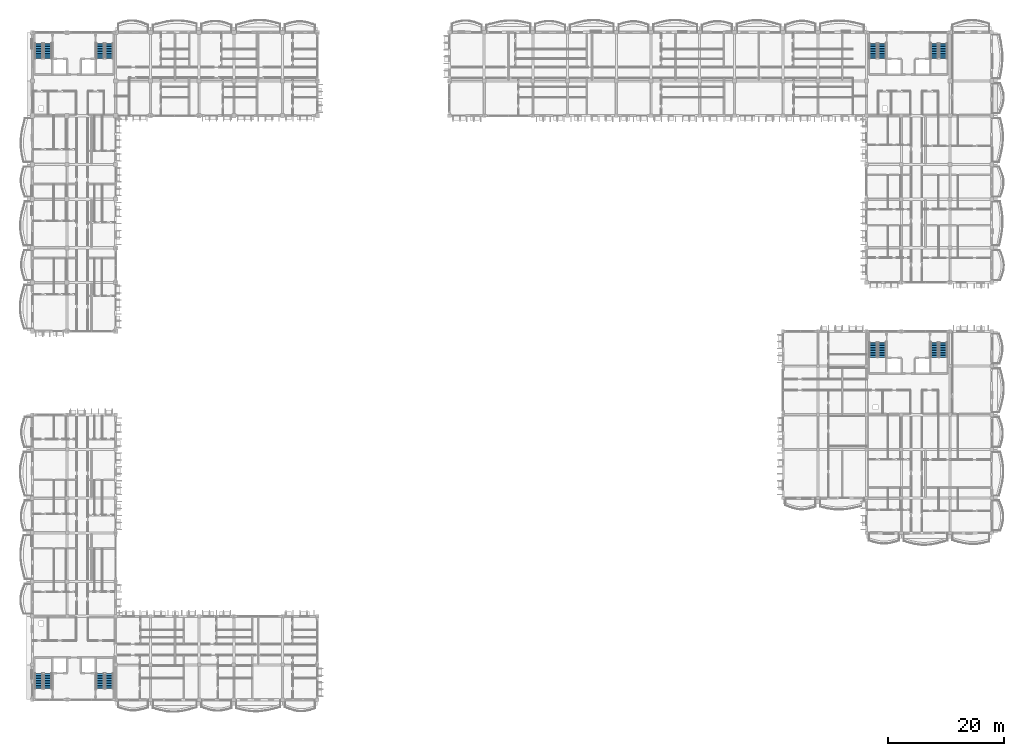
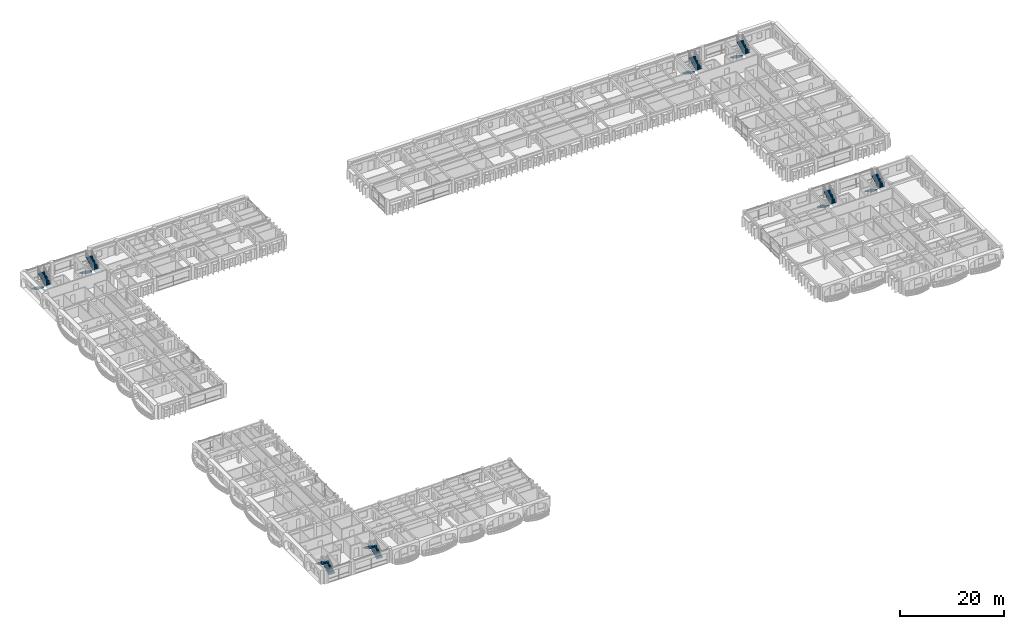
# One storey, part 50 of 79: 16 stair flights, 8 elements without a shape of their own.
"""IFC4 building model written with IfcOpenShell, lengths in metres."""

from ifc_helpers import new_model, si_unit, direction, frame, origin, place, context, subcontext, project, spatial, polyline, outline, extrude, material, type_object, element, aggregate, save


model = new_model("IFC4")

# Units and contexts
model_context = context("Model", 3, precision=1e-05, world=origin(), true_north=direction((0.0, 1.0)))
body_context = subcontext(model_context, "Body", "Model", "MODEL_VIEW")
ifc_project = project(units=[si_unit("LENGTHUNIT", "METRE"), si_unit("AREAUNIT", "SQUARE_METRE"), si_unit("VOLUMEUNIT", "CUBIC_METRE"), si_unit("PLANEANGLEUNIT", "RADIAN"), si_unit("MASSUNIT", "GRAM", prefix="KILO"), si_unit("THERMODYNAMICTEMPERATUREUNIT", "KELVIN")], contexts=[model_context])

# Site, building, storey
site_placement = place(None, origin())
site = spatial("IfcSite", under=ifc_project, at=site_placement, CompositionType="ELEMENT")
building_placement = place(site_placement, origin())
building = spatial("IfcBuilding", under=site, at=building_placement, Name="Thalorik Housing Commons", CompositionType="ELEMENT")
storey_placement = place(building_placement, frame((0.0, 0.0, 11.39990234375)))
storey = spatial("IfcBuildingStorey", under=building, at=storey_placement, Name="L03", CompositionType="ELEMENT", Elevation=11.39990234375)

# Stair, stair flights
ifc_material = material(Name="Precast concrete C40/50", Category="concrete")
stair_type = type_object("IfcStairType", Name="ARC-STR-1350-R20", PredefinedType="HALF_TURN_STAIR", material=ifc_material)
stair_1_placement = place(storey_placement, origin())
stair_1 = element("IfcStair", 1, at=stair_1_placement, inside=storey, type_object=stair_type, Name="L03 Block A Smoke-Proof Stair 1", PredefinedType="HALF_TURN_STAIR")
stair_flight_type = type_object("IfcStairFlightType", Name="ARC-SFLT-1350-R10", PredefinedType="STRAIGHT", material=ifc_material)
stair_flight_1_placement = place(storey_placement, frame((9.52490234375, 121.699951171875, 0.0), z_axis=(0.0, 0.0, 1.0), x_axis=(0.0, -1.0, 0.0)))
stair_flight_1 = element("IfcStairFlight", 2, at=stair_flight_1_placement, type_object=stair_flight_type, Name="ST-A1 flight 1", NumberOfRisers=10, NumberOfTreads=9, PredefinedType="STRAIGHT", RiserHeight=0.165, TreadLength=0.29, context=body_context, shape_type="SweptSolid", body=[
    extrude(outline(polyline([(0.0, 0.0), (0.0, 0.1650390625), (0.2900390625, 0.1650390625), (0.2900390625, 0.330078125), (0.580078125, 0.330078125), (0.580078125, 0.4951171875), (0.8701171875, 0.4951171875), (0.8701171875, 0.659912109375), (1.159912109375, 0.659912109375), (1.159912109375, 0.824951171875), (1.449951171875, 0.824951171875), (1.449951171875, 0.989990234375), (1.739990234375, 0.989990234375), (1.739990234375, 1.155029296875), (2.030029296875, 1.155029296875), (2.030029296875, 1.320068359375), (2.320068359375, 1.320068359375), (2.320068359375, 1.485107421875), (2.610107421875, 1.485107421875), (2.610107421875, 1.64990234375), (2.610107421875, 1.301025390625), (0.323486328125, 0.0), (0.0, 0.0)])), frame((0.0, 0.675048828125, 0.0), z_axis=(0.0, -1.0, 0.0), x_axis=(1.0, 0.0, 0.0)), (0.0, 0.0, 1.0), 1.35009765625),
])
stair_flight_2_placement = place(storey_placement, frame((11.074951171875, 119.090087890625, 1.650146484375), z_axis=(0.0, 0.0, 1.0), x_axis=(0.0, 1.0, 0.0)))
stair_flight_2 = element("IfcStairFlight", 3, at=stair_flight_2_placement, type_object=stair_flight_type, Name="ST-A1 flight 2", NumberOfRisers=10, NumberOfTreads=9, PredefinedType="STRAIGHT", RiserHeight=0.165, TreadLength=0.29, context=body_context, shape_type="SweptSolid", body=[
    extrude(outline(polyline([(0.0, 0.0), (0.0, 0.1650390625), (0.2900390625, 0.1650390625), (0.2900390625, 0.330078125), (0.580078125, 0.330078125), (0.580078125, 0.4951171875), (0.8701171875, 0.4951171875), (0.8701171875, 0.659912109375), (1.159912109375, 0.659912109375), (1.159912109375, 0.824951171875), (1.449951171875, 0.824951171875), (1.449951171875, 0.989990234375), (1.739990234375, 0.989990234375), (1.739990234375, 1.155029296875), (2.030029296875, 1.155029296875), (2.030029296875, 1.320068359375), (2.320068359375, 1.320068359375), (2.320068359375, 1.485107421875), (2.610107421875, 1.485107421875), (2.610107421875, 1.64990234375), (2.610107421875, 1.301025390625), (0.323486328125, 0.0), (0.0, 0.0)])), frame((0.0, 0.675048828125, 0.0), z_axis=(0.0, -1.0, 0.0), x_axis=(1.0, 0.0, 0.0)), (0.0, 0.0, 1.0), 1.35009765625),
])
aggregate(stair_1, [stair_flight_1, stair_flight_2])

stair_2_placement = place(storey_placement, origin())
stair_2 = element("IfcStair", 4, at=stair_2_placement, inside=storey, type_object=stair_type, Name="L03 Block A Smoke-Proof Stair 2", PredefinedType="HALF_TURN_STAIR")
stair_flight_3_placement = place(storey_placement, frame((20.125, 121.699951171875, 0.0), z_axis=(0.0, 0.0, 1.0), x_axis=(0.0, -1.0, 0.0)))
stair_flight_3 = element("IfcStairFlight", 5, at=stair_flight_3_placement, type_object=stair_flight_type, Name="ST-A2 flight 1", NumberOfRisers=10, NumberOfTreads=9, PredefinedType="STRAIGHT", RiserHeight=0.165, TreadLength=0.29, context=body_context, shape_type="SweptSolid", body=[
    extrude(outline(polyline([(0.0, 0.0), (0.0, 0.1650390625), (0.2900390625, 0.1650390625), (0.2900390625, 0.330078125), (0.580078125, 0.330078125), (0.580078125, 0.4951171875), (0.8701171875, 0.4951171875), (0.8701171875, 0.659912109375), (1.159912109375, 0.659912109375), (1.159912109375, 0.824951171875), (1.449951171875, 0.824951171875), (1.449951171875, 0.989990234375), (1.739990234375, 0.989990234375), (1.739990234375, 1.155029296875), (2.030029296875, 1.155029296875), (2.030029296875, 1.320068359375), (2.320068359375, 1.320068359375), (2.320068359375, 1.485107421875), (2.610107421875, 1.485107421875), (2.610107421875, 1.64990234375), (2.610107421875, 1.301025390625), (0.323486328125, 0.0), (0.0, 0.0)])), frame((0.0, 0.675048828125, 0.0), z_axis=(0.0, -1.0, 0.0), x_axis=(1.0, 0.0, 0.0)), (0.0, 0.0, 1.0), 1.35009765625),
])
stair_flight_4_placement = place(storey_placement, frame((21.675048828125, 119.090087890625, 1.650146484375), z_axis=(0.0, 0.0, 1.0), x_axis=(0.0, 1.0, 0.0)))
stair_flight_4 = element("IfcStairFlight", 6, at=stair_flight_4_placement, type_object=stair_flight_type, Name="ST-A2 flight 2", NumberOfRisers=10, NumberOfTreads=9, PredefinedType="STRAIGHT", RiserHeight=0.165, TreadLength=0.29, context=body_context, shape_type="SweptSolid", body=[
    extrude(outline(polyline([(0.0, 0.0), (0.0, 0.1650390625), (0.2900390625, 0.1650390625), (0.2900390625, 0.330078125), (0.580078125, 0.330078125), (0.580078125, 0.4951171875), (0.8701171875, 0.4951171875), (0.8701171875, 0.659912109375), (1.159912109375, 0.659912109375), (1.159912109375, 0.824951171875), (1.449951171875, 0.824951171875), (1.449951171875, 0.989990234375), (1.739990234375, 0.989990234375), (1.739990234375, 1.155029296875), (2.030029296875, 1.155029296875), (2.030029296875, 1.320068359375), (2.320068359375, 1.320068359375), (2.320068359375, 1.485107421875), (2.610107421875, 1.485107421875), (2.610107421875, 1.64990234375), (2.610107421875, 1.301025390625), (0.323486328125, 0.0), (0.0, 0.0)])), frame((0.0, 0.675048828125, 0.0), z_axis=(0.0, -1.0, 0.0), x_axis=(1.0, 0.0, 0.0)), (0.0, 0.0, 1.0), 1.35009765625),
])
aggregate(stair_2, [stair_flight_3, stair_flight_4])

stair_3_placement = place(storey_placement, origin())
stair_3 = element("IfcStair", 7, at=stair_3_placement, inside=storey, type_object=stair_type, Name="L03 Block B Smoke-Proof Stair 1", PredefinedType="HALF_TURN_STAIR")
stair_flight_5_placement = place(storey_placement, frame((153.52490234375, 121.699951171875, 0.0), z_axis=(0.0, 0.0, 1.0), x_axis=(0.0, -1.0, 0.0)))
stair_flight_5 = element("IfcStairFlight", 8, at=stair_flight_5_placement, type_object=stair_flight_type, Name="ST-B1 flight 1", NumberOfRisers=10, NumberOfTreads=9, PredefinedType="STRAIGHT", RiserHeight=0.165, TreadLength=0.29, context=body_context, shape_type="SweptSolid", body=[
    extrude(outline(polyline([(0.0, 0.0), (0.0, 0.1650390625), (0.2900390625, 0.1650390625), (0.2900390625, 0.330078125), (0.580078125, 0.330078125), (0.580078125, 0.4951171875), (0.8701171875, 0.4951171875), (0.8701171875, 0.659912109375), (1.159912109375, 0.659912109375), (1.159912109375, 0.824951171875), (1.449951171875, 0.824951171875), (1.449951171875, 0.989990234375), (1.739990234375, 0.989990234375), (1.739990234375, 1.155029296875), (2.030029296875, 1.155029296875), (2.030029296875, 1.320068359375), (2.320068359375, 1.320068359375), (2.320068359375, 1.485107421875), (2.610107421875, 1.485107421875), (2.610107421875, 1.64990234375), (2.610107421875, 1.301025390625), (0.323486328125, 0.0), (0.0, 0.0)])), frame((0.0, 0.675048828125, 0.0), z_axis=(0.0, -1.0, 0.0), x_axis=(1.0, 0.0, 0.0)), (0.0, 0.0, 1.0), 1.35009765625),
])
stair_flight_6_placement = place(storey_placement, frame((155.074951171875, 119.090087890625, 1.650146484375), z_axis=(0.0, 0.0, 1.0), x_axis=(0.0, 1.0, 0.0)))
stair_flight_6 = element("IfcStairFlight", 9, at=stair_flight_6_placement, type_object=stair_flight_type, Name="ST-B1 flight 2", NumberOfRisers=10, NumberOfTreads=9, PredefinedType="STRAIGHT", RiserHeight=0.165, TreadLength=0.29, context=body_context, shape_type="SweptSolid", body=[
    extrude(outline(polyline([(0.0, 0.0), (0.0, 0.1650390625), (0.2900390625, 0.1650390625), (0.2900390625, 0.330078125), (0.580078125, 0.330078125), (0.580078125, 0.4951171875), (0.8701171875, 0.4951171875), (0.8701171875, 0.659912109375), (1.159912109375, 0.659912109375), (1.159912109375, 0.824951171875), (1.449951171875, 0.824951171875), (1.449951171875, 0.989990234375), (1.739990234375, 0.989990234375), (1.739990234375, 1.155029296875), (2.030029296875, 1.155029296875), (2.030029296875, 1.320068359375), (2.320068359375, 1.320068359375), (2.320068359375, 1.485107421875), (2.610107421875, 1.485107421875), (2.610107421875, 1.64990234375), (2.610107421875, 1.301025390625), (0.323486328125, 0.0), (0.0, 0.0)])), frame((0.0, 0.675048828125, 0.0), z_axis=(0.0, -1.0, 0.0), x_axis=(1.0, 0.0, 0.0)), (0.0, 0.0, 1.0), 1.35009765625),
])
aggregate(stair_3, [stair_flight_5, stair_flight_6])

stair_4_placement = place(storey_placement, origin())
stair_4 = element("IfcStair", 10, at=stair_4_placement, inside=storey, type_object=stair_type, Name="L03 Block B Smoke-Proof Stair 2", PredefinedType="HALF_TURN_STAIR")
stair_flight_7_placement = place(storey_placement, frame((164.125, 121.699951171875, 0.0), z_axis=(0.0, 0.0, 1.0), x_axis=(0.0, -1.0, 0.0)))
stair_flight_7 = element("IfcStairFlight", 11, at=stair_flight_7_placement, type_object=stair_flight_type, Name="ST-B2 flight 1", NumberOfRisers=10, NumberOfTreads=9, PredefinedType="STRAIGHT", RiserHeight=0.165, TreadLength=0.29, context=body_context, shape_type="SweptSolid", body=[
    extrude(outline(polyline([(0.0, 0.0), (0.0, 0.1650390625), (0.2900390625, 0.1650390625), (0.2900390625, 0.330078125), (0.580078125, 0.330078125), (0.580078125, 0.4951171875), (0.8701171875, 0.4951171875), (0.8701171875, 0.659912109375), (1.159912109375, 0.659912109375), (1.159912109375, 0.824951171875), (1.449951171875, 0.824951171875), (1.449951171875, 0.989990234375), (1.739990234375, 0.989990234375), (1.739990234375, 1.155029296875), (2.030029296875, 1.155029296875), (2.030029296875, 1.320068359375), (2.320068359375, 1.320068359375), (2.320068359375, 1.485107421875), (2.610107421875, 1.485107421875), (2.610107421875, 1.64990234375), (2.610107421875, 1.301025390625), (0.323486328125, 0.0), (0.0, 0.0)])), frame((0.0, 0.675048828125, 0.0), z_axis=(0.0, -1.0, 0.0), x_axis=(1.0, 0.0, 0.0)), (0.0, 0.0, 1.0), 1.35009765625),
])
stair_flight_8_placement = place(storey_placement, frame((165.675048828125, 119.090087890625, 1.650146484375), z_axis=(0.0, 0.0, 1.0), x_axis=(0.0, 1.0, 0.0)))
stair_flight_8 = element("IfcStairFlight", 12, at=stair_flight_8_placement, type_object=stair_flight_type, Name="ST-B2 flight 2", NumberOfRisers=10, NumberOfTreads=9, PredefinedType="STRAIGHT", RiserHeight=0.165, TreadLength=0.29, context=body_context, shape_type="SweptSolid", body=[
    extrude(outline(polyline([(0.0, 0.0), (0.0, 0.1650390625), (0.2900390625, 0.1650390625), (0.2900390625, 0.330078125), (0.580078125, 0.330078125), (0.580078125, 0.4951171875), (0.8701171875, 0.4951171875), (0.8701171875, 0.659912109375), (1.159912109375, 0.659912109375), (1.159912109375, 0.824951171875), (1.449951171875, 0.824951171875), (1.449951171875, 0.989990234375), (1.739990234375, 0.989990234375), (1.739990234375, 1.155029296875), (2.030029296875, 1.155029296875), (2.030029296875, 1.320068359375), (2.320068359375, 1.320068359375), (2.320068359375, 1.485107421875), (2.610107421875, 1.485107421875), (2.610107421875, 1.64990234375), (2.610107421875, 1.301025390625), (0.323486328125, 0.0), (0.0, 0.0)])), frame((0.0, 0.675048828125, 0.0), z_axis=(0.0, -1.0, 0.0), x_axis=(1.0, 0.0, 0.0)), (0.0, 0.0, 1.0), 1.35009765625),
])
aggregate(stair_4, [stair_flight_7, stair_flight_8])

stair_5_placement = place(storey_placement, origin())
stair_5 = element("IfcStair", 13, at=stair_5_placement, inside=storey, type_object=stair_type, Name="L03 Block C Smoke-Proof Stair 1", PredefinedType="HALF_TURN_STAIR")
stair_flight_9_placement = place(storey_placement, frame((11.074951171875, 10.300048828125, 0.0), z_axis=(0.0, 0.0, 1.0), x_axis=(0.0, 1.0, 0.0)))
stair_flight_9 = element("IfcStairFlight", 14, at=stair_flight_9_placement, type_object=stair_flight_type, Name="ST-C1 flight 1", NumberOfRisers=10, NumberOfTreads=9, PredefinedType="STRAIGHT", RiserHeight=0.165, TreadLength=0.29, context=body_context, shape_type="SweptSolid", body=[
    extrude(outline(polyline([(0.0, 0.0), (0.0, 0.1650390625), (0.2900390625, 0.1650390625), (0.2900390625, 0.330078125), (0.580078125, 0.330078125), (0.580078125, 0.4951171875), (0.8701171875, 0.4951171875), (0.8701171875, 0.659912109375), (1.159912109375, 0.659912109375), (1.159912109375, 0.824951171875), (1.449951171875, 0.824951171875), (1.449951171875, 0.989990234375), (1.739990234375, 0.989990234375), (1.739990234375, 1.155029296875), (2.030029296875, 1.155029296875), (2.030029296875, 1.320068359375), (2.320068359375, 1.320068359375), (2.320068359375, 1.485107421875), (2.610107421875, 1.485107421875), (2.610107421875, 1.64990234375), (2.610107421875, 1.301025390625), (0.323486328125, 0.0), (0.0, 0.0)])), frame((0.0, 0.675048828125, 0.0), z_axis=(0.0, -1.0, 0.0), x_axis=(1.0, 0.0, 0.0)), (0.0, 0.0, 1.0), 1.35009765625),
])
stair_flight_10_placement = place(storey_placement, frame((9.52490234375, 12.909912109375, 1.650146484375), z_axis=(0.0, 0.0, 1.0), x_axis=(0.0, -1.0, 0.0)))
stair_flight_10 = element("IfcStairFlight", 15, at=stair_flight_10_placement, type_object=stair_flight_type, Name="ST-C1 flight 2", NumberOfRisers=10, NumberOfTreads=9, PredefinedType="STRAIGHT", RiserHeight=0.165, TreadLength=0.29, context=body_context, shape_type="SweptSolid", body=[
    extrude(outline(polyline([(0.0, 0.0), (0.0, 0.1650390625), (0.2900390625, 0.1650390625), (0.2900390625, 0.330078125), (0.580078125, 0.330078125), (0.580078125, 0.4951171875), (0.8701171875, 0.4951171875), (0.8701171875, 0.659912109375), (1.159912109375, 0.659912109375), (1.159912109375, 0.824951171875), (1.449951171875, 0.824951171875), (1.449951171875, 0.989990234375), (1.739990234375, 0.989990234375), (1.739990234375, 1.155029296875), (2.030029296875, 1.155029296875), (2.030029296875, 1.320068359375), (2.320068359375, 1.320068359375), (2.320068359375, 1.485107421875), (2.610107421875, 1.485107421875), (2.610107421875, 1.64990234375), (2.610107421875, 1.301025390625), (0.323486328125, 0.0), (0.0, 0.0)])), frame((0.0, 0.675048828125, 0.0), z_axis=(0.0, -1.0, 0.0), x_axis=(1.0, 0.0, 0.0)), (0.0, 0.0, 1.0), 1.35009765625),
])
aggregate(stair_5, [stair_flight_9, stair_flight_10])

stair_6_placement = place(storey_placement, origin())
stair_6 = element("IfcStair", 16, at=stair_6_placement, inside=storey, type_object=stair_type, Name="L03 Block C Smoke-Proof Stair 2", PredefinedType="HALF_TURN_STAIR")
stair_flight_11_placement = place(storey_placement, frame((21.675048828125, 10.300048828125, 0.0), z_axis=(0.0, 0.0, 1.0), x_axis=(0.0, 1.0, 0.0)))
stair_flight_11 = element("IfcStairFlight", 17, at=stair_flight_11_placement, type_object=stair_flight_type, Name="ST-C2 flight 1", NumberOfRisers=10, NumberOfTreads=9, PredefinedType="STRAIGHT", RiserHeight=0.165, TreadLength=0.29, context=body_context, shape_type="SweptSolid", body=[
    extrude(outline(polyline([(0.0, 0.0), (0.0, 0.1650390625), (0.2900390625, 0.1650390625), (0.2900390625, 0.330078125), (0.580078125, 0.330078125), (0.580078125, 0.4951171875), (0.8701171875, 0.4951171875), (0.8701171875, 0.659912109375), (1.159912109375, 0.659912109375), (1.159912109375, 0.824951171875), (1.449951171875, 0.824951171875), (1.449951171875, 0.989990234375), (1.739990234375, 0.989990234375), (1.739990234375, 1.155029296875), (2.030029296875, 1.155029296875), (2.030029296875, 1.320068359375), (2.320068359375, 1.320068359375), (2.320068359375, 1.485107421875), (2.610107421875, 1.485107421875), (2.610107421875, 1.64990234375), (2.610107421875, 1.301025390625), (0.323486328125, 0.0), (0.0, 0.0)])), frame((0.0, 0.675048828125, 0.0), z_axis=(0.0, -1.0, 0.0), x_axis=(1.0, 0.0, 0.0)), (0.0, 0.0, 1.0), 1.35009765625),
])
stair_flight_12_placement = place(storey_placement, frame((20.125, 12.909912109375, 1.650146484375), z_axis=(0.0, 0.0, 1.0), x_axis=(0.0, -1.0, 0.0)))
stair_flight_12 = element("IfcStairFlight", 18, at=stair_flight_12_placement, type_object=stair_flight_type, Name="ST-C2 flight 2", NumberOfRisers=10, NumberOfTreads=9, PredefinedType="STRAIGHT", RiserHeight=0.165, TreadLength=0.29, context=body_context, shape_type="SweptSolid", body=[
    extrude(outline(polyline([(0.0, 0.0), (0.0, 0.1650390625), (0.2900390625, 0.1650390625), (0.2900390625, 0.330078125), (0.580078125, 0.330078125), (0.580078125, 0.4951171875), (0.8701171875, 0.4951171875), (0.8701171875, 0.659912109375), (1.159912109375, 0.659912109375), (1.159912109375, 0.824951171875), (1.449951171875, 0.824951171875), (1.449951171875, 0.989990234375), (1.739990234375, 0.989990234375), (1.739990234375, 1.155029296875), (2.030029296875, 1.155029296875), (2.030029296875, 1.320068359375), (2.320068359375, 1.320068359375), (2.320068359375, 1.485107421875), (2.610107421875, 1.485107421875), (2.610107421875, 1.64990234375), (2.610107421875, 1.301025390625), (0.323486328125, 0.0), (0.0, 0.0)])), frame((0.0, 0.675048828125, 0.0), z_axis=(0.0, -1.0, 0.0), x_axis=(1.0, 0.0, 0.0)), (0.0, 0.0, 1.0), 1.35009765625),
])
aggregate(stair_6, [stair_flight_11, stair_flight_12])

stair_7_placement = place(storey_placement, origin())
stair_7 = element("IfcStair", 19, at=stair_7_placement, inside=storey, type_object=stair_type, Name="L03 Block D Smoke-Proof Stair 1", PredefinedType="HALF_TURN_STAIR")
stair_flight_13_placement = place(storey_placement, frame((153.52490234375, 70.10009765625, 0.0), z_axis=(0.0, 0.0, 1.0), x_axis=(0.0, -1.0, 0.0)))
stair_flight_13 = element("IfcStairFlight", 20, at=stair_flight_13_placement, type_object=stair_flight_type, Name="ST-D1 flight 1", NumberOfRisers=10, NumberOfTreads=9, PredefinedType="STRAIGHT", RiserHeight=0.165, TreadLength=0.29, context=body_context, shape_type="SweptSolid", body=[
    extrude(outline(polyline([(0.0, 0.0), (0.0, 0.1650390625), (0.2900390625, 0.1650390625), (0.2900390625, 0.330078125), (0.580078125, 0.330078125), (0.580078125, 0.4951171875), (0.8701171875, 0.4951171875), (0.8701171875, 0.659912109375), (1.159912109375, 0.659912109375), (1.159912109375, 0.824951171875), (1.449951171875, 0.824951171875), (1.449951171875, 0.989990234375), (1.739990234375, 0.989990234375), (1.739990234375, 1.155029296875), (2.030029296875, 1.155029296875), (2.030029296875, 1.320068359375), (2.320068359375, 1.320068359375), (2.320068359375, 1.485107421875), (2.610107421875, 1.485107421875), (2.610107421875, 1.64990234375), (2.610107421875, 1.301025390625), (0.323486328125, 0.0), (0.0, 0.0)])), frame((0.0, 0.675048828125, 0.0), z_axis=(0.0, -1.0, 0.0), x_axis=(1.0, 0.0, 0.0)), (0.0, 0.0, 1.0), 1.35009765625),
])
stair_flight_14_placement = place(storey_placement, frame((155.074951171875, 67.489990234375, 1.650146484375), z_axis=(0.0, 0.0, 1.0), x_axis=(0.0, 1.0, 0.0)))
stair_flight_14 = element("IfcStairFlight", 21, at=stair_flight_14_placement, type_object=stair_flight_type, Name="ST-D1 flight 2", NumberOfRisers=10, NumberOfTreads=9, PredefinedType="STRAIGHT", RiserHeight=0.165, TreadLength=0.29, context=body_context, shape_type="SweptSolid", body=[
    extrude(outline(polyline([(0.0, 0.0), (0.0, 0.1650390625), (0.2900390625, 0.1650390625), (0.2900390625, 0.330078125), (0.580078125, 0.330078125), (0.580078125, 0.4951171875), (0.8701171875, 0.4951171875), (0.8701171875, 0.659912109375), (1.159912109375, 0.659912109375), (1.159912109375, 0.824951171875), (1.449951171875, 0.824951171875), (1.449951171875, 0.989990234375), (1.739990234375, 0.989990234375), (1.739990234375, 1.155029296875), (2.030029296875, 1.155029296875), (2.030029296875, 1.320068359375), (2.320068359375, 1.320068359375), (2.320068359375, 1.485107421875), (2.610107421875, 1.485107421875), (2.610107421875, 1.64990234375), (2.610107421875, 1.301025390625), (0.323486328125, 0.0), (0.0, 0.0)])), frame((0.0, 0.675048828125, 0.0), z_axis=(0.0, -1.0, 0.0), x_axis=(1.0, 0.0, 0.0)), (0.0, 0.0, 1.0), 1.35009765625),
])
aggregate(stair_7, [stair_flight_13, stair_flight_14])

stair_8_placement = place(storey_placement, origin())
stair_8 = element("IfcStair", 22, at=stair_8_placement, inside=storey, type_object=stair_type, Name="L03 Block D Smoke-Proof Stair 2", PredefinedType="HALF_TURN_STAIR")
stair_flight_15_placement = place(storey_placement, frame((164.125, 70.10009765625, 0.0), z_axis=(0.0, 0.0, 1.0), x_axis=(0.0, -1.0, 0.0)))
stair_flight_15 = element("IfcStairFlight", 23, at=stair_flight_15_placement, type_object=stair_flight_type, Name="ST-D2 flight 1", NumberOfRisers=10, NumberOfTreads=9, PredefinedType="STRAIGHT", RiserHeight=0.165, TreadLength=0.29, context=body_context, shape_type="SweptSolid", body=[
    extrude(outline(polyline([(0.0, 0.0), (0.0, 0.1650390625), (0.2900390625, 0.1650390625), (0.2900390625, 0.330078125), (0.580078125, 0.330078125), (0.580078125, 0.4951171875), (0.8701171875, 0.4951171875), (0.8701171875, 0.659912109375), (1.159912109375, 0.659912109375), (1.159912109375, 0.824951171875), (1.449951171875, 0.824951171875), (1.449951171875, 0.989990234375), (1.739990234375, 0.989990234375), (1.739990234375, 1.155029296875), (2.030029296875, 1.155029296875), (2.030029296875, 1.320068359375), (2.320068359375, 1.320068359375), (2.320068359375, 1.485107421875), (2.610107421875, 1.485107421875), (2.610107421875, 1.64990234375), (2.610107421875, 1.301025390625), (0.323486328125, 0.0), (0.0, 0.0)])), frame((0.0, 0.675048828125, 0.0), z_axis=(0.0, -1.0, 0.0), x_axis=(1.0, 0.0, 0.0)), (0.0, 0.0, 1.0), 1.35009765625),
])
stair_flight_16_placement = place(storey_placement, frame((165.675048828125, 67.489990234375, 1.650146484375), z_axis=(0.0, 0.0, 1.0), x_axis=(0.0, 1.0, 0.0)))
stair_flight_16 = element("IfcStairFlight", 24, at=stair_flight_16_placement, type_object=stair_flight_type, Name="ST-D2 flight 2", NumberOfRisers=10, NumberOfTreads=9, PredefinedType="STRAIGHT", RiserHeight=0.165, TreadLength=0.29, context=body_context, shape_type="SweptSolid", body=[
    extrude(outline(polyline([(0.0, 0.0), (0.0, 0.1650390625), (0.2900390625, 0.1650390625), (0.2900390625, 0.330078125), (0.580078125, 0.330078125), (0.580078125, 0.4951171875), (0.8701171875, 0.4951171875), (0.8701171875, 0.659912109375), (1.159912109375, 0.659912109375), (1.159912109375, 0.824951171875), (1.449951171875, 0.824951171875), (1.449951171875, 0.989990234375), (1.739990234375, 0.989990234375), (1.739990234375, 1.155029296875), (2.030029296875, 1.155029296875), (2.030029296875, 1.320068359375), (2.320068359375, 1.320068359375), (2.320068359375, 1.485107421875), (2.610107421875, 1.485107421875), (2.610107421875, 1.64990234375), (2.610107421875, 1.301025390625), (0.323486328125, 0.0), (0.0, 0.0)])), frame((0.0, 0.675048828125, 0.0), z_axis=(0.0, -1.0, 0.0), x_axis=(1.0, 0.0, 0.0)), (0.0, 0.0, 1.0), 1.35009765625),
])
aggregate(stair_8, [stair_flight_15, stair_flight_16])

save(model, "model.ifc")
